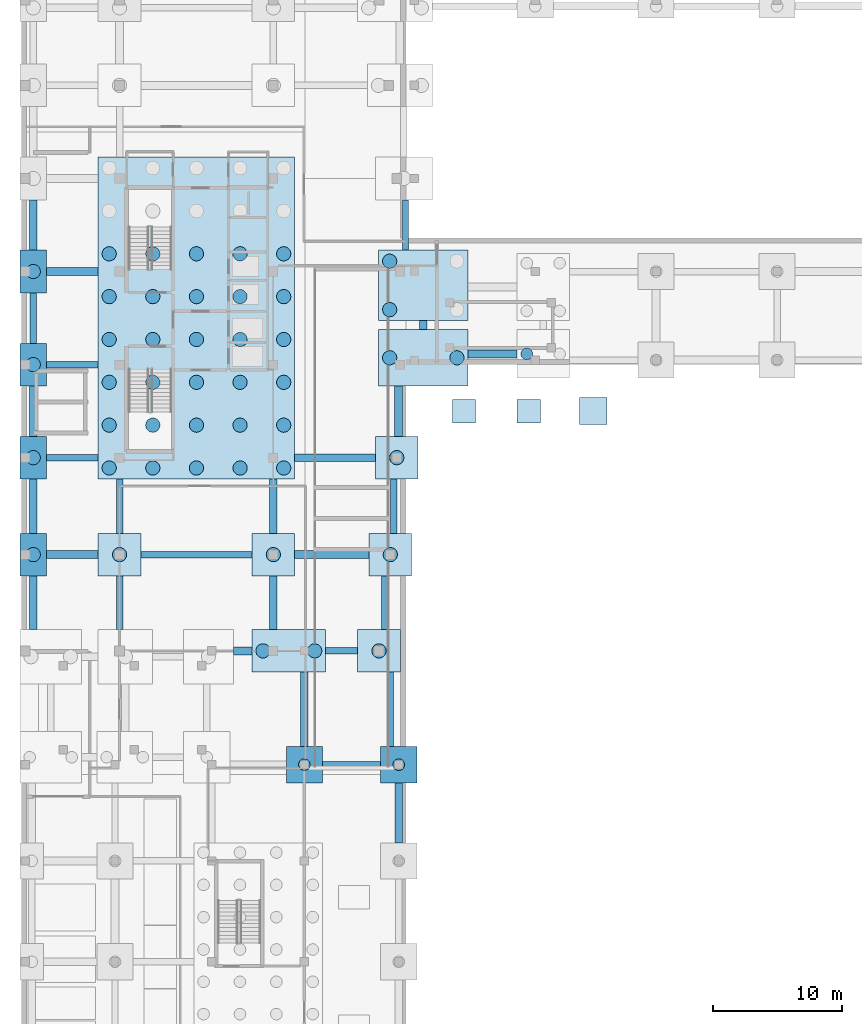
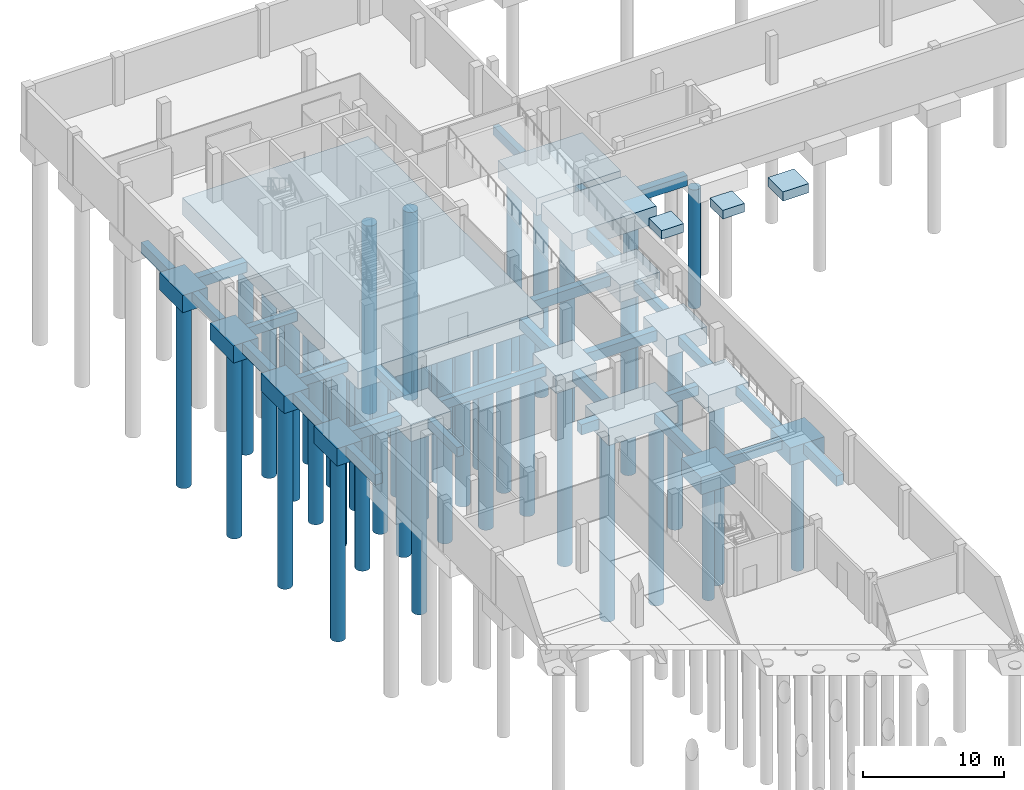
# One storey, part 3 of 21: 48 piles, 46 footings.
"""IFC4 building model written with IfcOpenShell, lengths in metres."""

from ifc_helpers import new_model, si_unit, direction, frame, origin, origin_2d, place, context, subcontext, project, spatial, polyline, circle, outline, extrude, material, material_profile, profile_set, type_object, element, save


model = new_model("IFC4")

# Units and contexts
model_context = context("Model", 3, precision=1e-05, world=origin(), true_north=direction((0.0, 1.0)))
body_context = subcontext(model_context, "Body", "Model", "MODEL_VIEW")
ifc_project = project(units=[si_unit("LENGTHUNIT", "METRE"), si_unit("AREAUNIT", "SQUARE_METRE"), si_unit("VOLUMEUNIT", "CUBIC_METRE"), si_unit("PLANEANGLEUNIT", "RADIAN"), si_unit("MASSUNIT", "GRAM", prefix="KILO")], contexts=[model_context])

# Site, building, storey
site_placement = place(None, origin())
site = spatial("IfcSite", under=ifc_project, at=site_placement, CompositionType="ELEMENT")
building_placement = place(site_placement, origin())
building = spatial("IfcBuilding", under=site, at=building_placement, Name="Quillay Park Conservatory", CompositionType="ELEMENT")
storey_placement = place(building_placement, frame((0.0, 0.0, -8.39990234375)))
storey = spatial("IfcBuildingStorey", under=building, at=storey_placement, Name="B2", CompositionType="ELEMENT", Elevation=-8.39990234375)

# Piles
ifc_material_1 = material(Name="Concrete C35/45 (NCh170 Concrete C35/45)", Category="concrete")
ifc_material_profile_1 = material_profile(ifc_material_1, circle(Radius=0.550048828125, at=origin_2d()), Name="PILE1100")
ifc_profile_set_1 = profile_set([ifc_material_profile_1], Name="Concrete C35/45 (NCh170 Concrete C35/45)")
pile_type_1 = type_object("IfcPileType", Name="BORED CONCRETE PILE 1100", PredefinedType="BORED", material=ifc_profile_set_1)
for number, where, z_axis, x_axis, name in (
    (1, (18.949951171875, 63.050048828125, -1.7001953125), (0.0, 0.0, -1.0), (1.0, 0.0, 0.0), "Bored pile P-0099"),
    (2, (22.949951171875, 63.050048828125, -1.7001953125), (0.0, 0.0, -1.0), (1.0, 0.0, 0.0), "Bored pile P-0100"),
    (3, (27.925048828125, 63.050048828125, -1.7001953125), (0.0, 0.0, -1.0), (1.0, 0.0, 0.0), "Bored pile P-0101"),
    (4, (1.175048828125, 70.5, -1.7001953125), (0.0, 0.0, -1.0), (1.0, 0.0, 0.0), "Bored pile P-0102"),
    (5, (7.85009765625, 70.5, -1.7001953125), (0.0, 0.0, -1.0), (1.0, 0.0, 0.0), "Bored pile P-0103"),
    (6, (19.75, 70.5, -1.7001953125), (0.0, 0.0, -1.0), (1.0, 0.0, 0.0), "Bored pile P-0104"),
    (7, (28.800048828125, 70.5, -1.7001953125), (0.0, 0.0, -1.0), (1.0, 0.0, 0.0), "Bored pile P-0105"),
    (8, (1.175048828125, 78.0, -1.7001953125), (0.0, 0.0, -1.0), (1.0, 0.0, 0.0), "Bored pile P-0106"),
    (9, (7.050048828125, 77.199951171875, -1.7001953125), (0.0, 0.0, -1.0), (1.0, 0.0, 0.0), "Bored pile P-0107"),
    (10, (7.050048828125, 80.514404296875, -1.7001953125), (0.0, 0.0, -1.0), (1.0, 0.0, 0.0), "Bored pile P-0108"),
    (11, (7.050048828125, 83.82861328125, -1.7001953125), (0.0, 0.0, -1.0), (1.0, 0.0, 0.0), "Bored pile P-0109"),
    (12, (7.050048828125, 87.142822265625, -1.7001953125), (0.0, 0.0, -1.0), (1.0, 0.0, 0.0), "Bored pile P-0110"),
    (13, (7.050048828125, 90.45703125, -1.7001953125), (0.0, 0.0, -1.0), (1.0, 0.0, 0.0), "Bored pile P-0111"),
    (14, (7.050048828125, 93.771484375, -1.7001953125), (0.0, 0.0, -1.0), (1.0, 0.0, 0.0), "Bored pile P-0112"),
    (15, (10.425048828125, 77.199951171875, -1.7001953125), (0.0, 0.0, -1.0), (1.0, 0.0, 0.0), "Bored pile P-0115"),
    (16, (10.425048828125, 80.514404296875, -1.7001953125), (0.0, 0.0, -1.0), (1.0, 0.0, 0.0), "Bored pile P-0116"),
    (17, (10.425048828125, 83.82861328125, -1.7001953125), (0.0, 0.0, -1.0), (1.0, 0.0, 0.0), "Bored pile P-0117"),
    (18, (10.425048828125, 87.142822265625, -1.7001953125), (0.0, 0.0, -1.0), (1.0, 0.0, 0.0), "Bored pile P-0118"),
    (19, (10.425048828125, 90.45703125, -1.7001953125), (0.0, 0.0, -1.0), (1.0, 0.0, 0.0), "Bored pile P-0119"),
    (20, (10.425048828125, 93.771484375, -1.7001953125), (0.0, 0.0, -1.0), (1.0, 0.0, 0.0), "Bored pile P-0120"),
    (21, (13.800048828125, 77.199951171875, -1.7001953125), (0.0, 0.0, -1.0), (1.0, 0.0, 0.0), "Bored pile P-0123"),
    (22, (13.800048828125, 80.514404296875, -1.7001953125), (0.0, 0.0, -1.0), (1.0, 0.0, 0.0), "Bored pile P-0124"),
    (23, (13.800048828125, 83.82861328125, -1.7001953125), (0.0, 0.0, -1.0), (1.0, 0.0, 0.0), "Bored pile P-0125"),
    (24, (13.800048828125, 87.142822265625, -1.7001953125), (0.0, 0.0, -1.0), (1.0, 0.0, 0.0), "Bored pile P-0126"),
    (25, (13.800048828125, 90.45703125, -1.7001953125), (0.0, 0.0, -1.0), (1.0, 0.0, 0.0), "Bored pile P-0127"),
    (26, (13.800048828125, 93.771484375, -1.7001953125), (0.0, 0.0, -1.0), (1.0, 0.0, 0.0), "Bored pile P-0128"),
    (27, (17.175048828125, 77.199951171875, -1.7001953125), (0.0, 0.0, -1.0), (1.0, 0.0, 0.0), "Bored pile P-0131"),
    (28, (17.175048828125, 80.514404296875, -1.7001953125), (0.0, 0.0, -1.0), (1.0, 0.0, 0.0), "Bored pile P-0132"),
    (29, (17.175048828125, 83.82861328125, -1.7001953125), (0.0, 0.0, -1.0), (1.0, 0.0, 0.0), "Bored pile P-0133"),
    (30, (17.175048828125, 87.142822265625, -1.7001953125), (0.0, 0.0, -1.0), (1.0, 0.0, 0.0), "Bored pile P-0134"),
    (31, (17.175048828125, 90.45703125, -1.7001953125), (0.0, 0.0, -1.0), (1.0, 0.0, 0.0), "Bored pile P-0135"),
    (32, (17.175048828125, 93.771484375, -1.7001953125), (0.0, 0.0, -1.0), (1.0, 0.0, 0.0), "Bored pile P-0136"),
    (33, (20.550048828125, 77.199951171875, -1.7001953125), (0.0, 0.0, -1.0), (1.0, 0.0, 0.0), "Bored pile P-0139"),
    (34, (20.550048828125, 80.514404296875, -1.7001953125), (0.0, 0.0, -1.0), (1.0, 0.0, 0.0), "Bored pile P-0140"),
    (35, (20.550048828125, 83.82861328125, -1.7001953125), (0.0, 0.0, -1.0), (1.0, 0.0, 0.0), "Bored pile P-0141"),
    (36, (20.550048828125, 87.142822265625, -1.7001953125), (0.0, 0.0, -1.0), (1.0, 0.0, 0.0), "Bored pile P-0142"),
    (37, (20.550048828125, 90.45703125, -1.7001953125), (0.0, 0.0, -1.0), (1.0, 0.0, 0.0), "Bored pile P-0143"),
    (38, (20.550048828125, 93.771484375, -1.7001953125), (0.0, 0.0, -1.0), (1.0, 0.0, 0.0), "Bored pile P-0144"),
    (39, (29.300048828125, 78.0, -1.7001953125), (0.0, 0.0, -1.0), (1.0, 0.0, 0.0), "Bored pile P-0147"),
    (40, (1.175048828125, 85.199951171875, -1.7001953125), (0.0, 0.0, -1.0), (1.0, 0.0, 0.0), "Bored pile P-0148"),
    (41, (28.75, 85.72509765625, -1.7001953125), (0.0, 0.0, -1.0), (1.0, 0.0, 0.0), "Bored pile P-0149"),
    (42, (33.949951171875, 85.72509765625, -1.7001953125), (0.0, 0.0, -1.0), (1.0, 0.0, 0.0), "Bored pile P-0150"),
    (43, (28.75, 89.449951171875, -1.7001953125), (0.0, 0.0, -1.0), (1.0, 0.0, 0.0), "Bored pile P-0205"),
    (44, (28.75, 93.199951171875, -1.7001953125), (0.0, 0.0, -1.0), (1.0, 0.0, 0.0), "Bored pile P-0206"),
    (45, (1.175048828125, 92.39990234375, -1.7001953125), (0.0, 0.0, -1.0), (1.0, 0.0, 0.0), "Bored pile P-0213"),
):
    element("IfcPile", number, at=place(storey_placement, frame(where, z_axis=z_axis, x_axis=x_axis)), inside=storey, type_object=pile_type_1, Name=name, PredefinedType="BORED", context=body_context, shape_type="SweptSolid", body=[
        extrude(circle(Radius=0.550048828125, at=origin_2d()), origin(), (0.0, 0.0, 1.0), 16.300048828125),
    ])
ifc_material_2 = material(Name="Concrete C35/45 (NCh170 Concrete C35/45)", Category="concrete")
ifc_material_profile_2 = material_profile(ifc_material_2, circle(Radius=0.449951171875, at=origin_2d()), Name="PILE900")
ifc_profile_set_2 = profile_set([ifc_material_profile_2], Name="Concrete C35/45 (NCh170 Concrete C35/45)")
pile_type_2 = type_object("IfcPileType", Name="BORED CONCRETE PILE 900", PredefinedType="BORED", material=ifc_profile_set_2)
for number, where, z_axis, x_axis, name in (
    (46, (22.14990234375, 54.25, -1.7001953125), (0.0, 0.0, -1.0), (1.0, 0.0, 0.0), "Bored pile P-0093"),
    (47, (29.449951171875, 54.25, -1.7001953125), (0.0, 0.0, -1.0), (1.0, 0.0, 0.0), "Bored pile P-0094"),
    (48, (39.355712890625, 86.02490234375, -1.7001953125), (0.0, 0.0, -1.0), (1.0, 0.0, 0.0), "Bored pile P-0151"),
):
    element("IfcPile", number, at=place(storey_placement, frame(where, z_axis=z_axis, x_axis=x_axis)), inside=storey, type_object=pile_type_2, Name=name, PredefinedType="BORED", context=body_context, shape_type="SweptSolid", body=[
        extrude(circle(Radius=0.449951171875, at=origin_2d()), origin(), (0.0, 0.0, 1.0), 10.300048828125),
    ])

# Footings
ifc_material_3 = material(Name="Concrete C35/45 (NCh170 Concrete C35/45)", Category="concrete")
footing_type_1 = type_object("IfcFootingType", Name="BORED PILE CAP 15200 X24900", PredefinedType="PILE_CAP", material=ifc_material_3)
footing_1_placement = place(storey_placement, frame((0.0, 0.0, -1.800048828125)))
element("IfcFooting", 49, at=footing_1_placement, inside=storey, type_object=footing_type_1, Name="B2 pile cap PC-16 (046)", PredefinedType="PILE_CAP", context=body_context, shape_type="SweptSolid", body=[
    extrude(outline(polyline([(6.199951171875, 76.35009765625), (21.39990234375, 76.35009765625), (21.39990234375, 101.25), (6.199951171875, 101.25), (6.199951171875, 76.35009765625)])), origin(), (0.0, 0.0, 1.0), 1.5),
])
ifc_material_4 = material(Name="Concrete C35/45 (NCh170 Concrete C35/45)", Category="concrete")
footing_type_2 = type_object("IfcFootingType", Name="BORED PILE CAP 2050 X3300", PredefinedType="PILE_CAP", material=ifc_material_4)
footing_2_placement = place(storey_placement, frame((0.0, 0.0, -1.800048828125)))
element("IfcFooting", 50, at=footing_2_placement, inside=storey, type_object=footing_type_2, Name="B2 pile cap PC-15 (041)", PredefinedType="PILE_CAP", context=body_context, shape_type="SweptSolid", body=[
    extrude(outline(polyline([(0.14990234375, 68.85009765625), (2.199951171875, 68.85009765625), (2.199951171875, 72.14990234375), (0.14990234375, 72.14990234375), (0.14990234375, 68.85009765625)])), origin(), (0.0, 0.0, 1.0), 1.5),
])
footing_3_placement = place(storey_placement, frame((0.0, 0.0, -1.800048828125)))
element("IfcFooting", 51, at=footing_3_placement, inside=storey, type_object=footing_type_2, Name="B2 pile cap PC-15 (045)", PredefinedType="PILE_CAP", context=body_context, shape_type="SweptSolid", body=[
    extrude(outline(polyline([(0.14990234375, 76.35009765625), (2.199951171875, 76.35009765625), (2.199951171875, 79.64990234375), (0.14990234375, 79.64990234375), (0.14990234375, 76.35009765625)])), origin(), (0.0, 0.0, 1.0), 1.5),
])
footing_4_placement = place(storey_placement, frame((0.0, 0.0, -1.800048828125)))
element("IfcFooting", 52, at=footing_4_placement, inside=storey, type_object=footing_type_2, Name="B2 pile cap PC-15 (048)", PredefinedType="PILE_CAP", context=body_context, shape_type="SweptSolid", body=[
    extrude(outline(polyline([(0.14990234375, 83.550048828125), (2.199951171875, 83.550048828125), (2.199951171875, 86.85009765625), (0.14990234375, 86.85009765625), (0.14990234375, 83.550048828125)])), origin(), (0.0, 0.0, 1.0), 1.5),
])
footing_5_placement = place(storey_placement, frame((0.0, 0.0, -1.800048828125)))
element("IfcFooting", 53, at=footing_5_placement, inside=storey, type_object=footing_type_2, Name="B2 pile cap PC-15 (066)", PredefinedType="PILE_CAP", context=body_context, shape_type="SweptSolid", body=[
    extrude(outline(polyline([(0.14990234375, 90.75), (2.199951171875, 90.75), (2.199951171875, 94.050048828125), (0.14990234375, 94.050048828125), (0.14990234375, 90.75)])), origin(), (0.0, 0.0, 1.0), 1.5),
])
ifc_material_5 = material(Name="Concrete C35/45 (NCh170 Concrete C35/45)", Category="concrete")
footing_type_3 = type_object("IfcFootingType", Name="BORED PILE CAP 2800 X2800", PredefinedType="PILE_CAP", material=ifc_material_5)
footing_6_placement = place(storey_placement, frame((0.0, 0.0, -1.800048828125)))
element("IfcFooting", 54, at=footing_6_placement, inside=storey, type_object=footing_type_3, Name="B2 pile cap PC-05 (034)", PredefinedType="PILE_CAP", context=body_context, shape_type="SweptSolid", body=[
    extrude(outline(polyline([(20.75, 52.85009765625), (23.550048828125, 52.85009765625), (23.550048828125, 55.64990234375), (20.75, 55.64990234375), (20.75, 52.85009765625)])), origin(), (0.0, 0.0, 1.0), 1.5),
])
footing_7_placement = place(storey_placement, frame((0.0, 0.0, -1.800048828125)))
element("IfcFooting", 55, at=footing_7_placement, inside=storey, type_object=footing_type_3, Name="B2 pile cap PC-05 (035)", PredefinedType="PILE_CAP", context=body_context, shape_type="SweptSolid", body=[
    extrude(outline(polyline([(28.050048828125, 52.85009765625), (30.85009765625, 52.85009765625), (30.85009765625, 55.64990234375), (28.050048828125, 55.64990234375), (28.050048828125, 52.85009765625)])), origin(), (0.0, 0.0, 1.0), 1.5),
])
ifc_material_6 = material(Name="Concrete C35/45 (NCh170 Concrete C35/45)", Category="concrete")
footing_type_4 = type_object("IfcFootingType", Name="BORED PILE CAP 3300 X3300", PredefinedType="PILE_CAP", material=ifc_material_6)
footing_8_placement = place(storey_placement, frame((0.0, 0.0, -1.800048828125)))
element("IfcFooting", 56, at=footing_8_placement, inside=storey, type_object=footing_type_4, Name="B2 pile cap PC-14 (040)", PredefinedType="PILE_CAP", context=body_context, shape_type="SweptSolid", body=[
    extrude(outline(polyline([(26.27490234375, 61.39990234375), (29.574951171875, 61.39990234375), (29.574951171875, 64.699951171875), (26.27490234375, 64.699951171875), (26.27490234375, 61.39990234375)])), origin(), (0.0, 0.0, 1.0), 1.5),
])
footing_9_placement = place(storey_placement, frame((0.0, 0.0, -1.800048828125)))
element("IfcFooting", 57, at=footing_9_placement, inside=storey, type_object=footing_type_4, Name="B2 pile cap PC-14 (042)", PredefinedType="PILE_CAP", context=body_context, shape_type="SweptSolid", body=[
    extrude(outline(polyline([(6.199951171875, 68.85009765625), (9.5, 68.85009765625), (9.5, 72.14990234375), (6.199951171875, 72.14990234375), (6.199951171875, 68.85009765625)])), origin(), (0.0, 0.0, 1.0), 1.5),
])
footing_10_placement = place(storey_placement, frame((0.0, 0.0, -1.800048828125)))
element("IfcFooting", 58, at=footing_10_placement, inside=storey, type_object=footing_type_4, Name="B2 pile cap PC-14 (043)", PredefinedType="PILE_CAP", context=body_context, shape_type="SweptSolid", body=[
    extrude(outline(polyline([(18.10009765625, 68.85009765625), (21.39990234375, 68.85009765625), (21.39990234375, 72.14990234375), (18.10009765625, 72.14990234375), (18.10009765625, 68.85009765625)])), origin(), (0.0, 0.0, 1.0), 1.5),
])
footing_11_placement = place(storey_placement, frame((0.0, 0.0, -1.800048828125)))
element("IfcFooting", 59, at=footing_11_placement, inside=storey, type_object=footing_type_4, Name="B2 pile cap PC-14 (044)", PredefinedType="PILE_CAP", context=body_context, shape_type="SweptSolid", body=[
    extrude(outline(polyline([(27.14990234375, 68.85009765625), (30.449951171875, 68.85009765625), (30.449951171875, 72.14990234375), (27.14990234375, 72.14990234375), (27.14990234375, 68.85009765625)])), origin(), (0.0, 0.0, 1.0), 1.5),
])
footing_12_placement = place(storey_placement, frame((0.0, 0.0, -1.800048828125)))
element("IfcFooting", 60, at=footing_12_placement, inside=storey, type_object=footing_type_4, Name="B2 pile cap PC-14 (047)", PredefinedType="PILE_CAP", context=body_context, shape_type="SweptSolid", body=[
    extrude(outline(polyline([(27.64990234375, 76.35009765625), (30.949951171875, 76.35009765625), (30.949951171875, 79.64990234375), (27.64990234375, 79.64990234375), (27.64990234375, 76.35009765625)])), origin(), (0.0, 0.0, 1.0), 1.5),
])
ifc_material_7 = material(Name="Concrete C35/45 (NCh170 Concrete C35/45)", Category="concrete")
footing_type_5 = type_object("IfcFootingType", Name="BORED PILE CAP 5700 X3300", PredefinedType="PILE_CAP", material=ifc_material_7)
footing_13_placement = place(storey_placement, frame((0.0, 0.0, -1.800048828125)))
element("IfcFooting", 61, at=footing_13_placement, inside=storey, type_object=footing_type_5, Name="B2 pile cap PC-13 (039)", PredefinedType="PILE_CAP", context=body_context, shape_type="SweptSolid", body=[
    extrude(outline(polyline([(18.10009765625, 61.39990234375), (23.800048828125, 61.39990234375), (23.800048828125, 64.699951171875), (18.10009765625, 64.699951171875), (18.10009765625, 61.39990234375)])), origin(), (0.0, 0.0, 1.0), 1.5),
])
ifc_material_8 = material(Name="Concrete C35/45 (NCh170 Concrete C35/45)", Category="concrete")
footing_type_6 = type_object("IfcFootingType", Name="BORED PILE CAP 6900 X4350", PredefinedType="PILE_CAP", material=ifc_material_8)
footing_14_placement = place(storey_placement, frame((0.0, 0.0, -1.800048828125)))
element("IfcFooting", 62, at=footing_14_placement, inside=storey, type_object=footing_type_6, Name="B2 pile cap PC-17 (049)", PredefinedType="PILE_CAP", context=body_context, shape_type="SweptSolid", body=[
    extrude(outline(polyline([(27.89990234375, 83.550048828125), (34.800048828125, 83.550048828125), (34.800048828125, 87.89990234375), (27.89990234375, 87.89990234375), (27.89990234375, 83.550048828125)])), origin(), (0.0, 0.0, 1.0), 1.5),
])
ifc_material_9 = material(Name="Concrete C35/45 (NCh170 Concrete C35/45)", Category="concrete")
footing_type_7 = type_object("IfcFootingType", Name="BORED PILE CAP 6900 X5450", PredefinedType="PILE_CAP", material=ifc_material_9)
footing_15_placement = place(storey_placement, frame((0.0, 0.0, -1.800048828125)))
element("IfcFooting", 63, at=footing_15_placement, inside=storey, type_object=footing_type_7, Name="B2 pile cap PC-21 (064)", PredefinedType="PILE_CAP", context=body_context, shape_type="SweptSolid", body=[
    extrude(outline(polyline([(27.89990234375, 88.60009765625), (34.800048828125, 88.60009765625), (34.800048828125, 94.050048828125), (27.89990234375, 94.050048828125), (27.89990234375, 88.60009765625)])), origin(), (0.0, 0.0, 1.0), 1.5),
])
ifc_material_10 = material(Name="Concrete C35/45 (NCh170 Concrete C35/45)", Category="concrete")
footing_type_8 = type_object("IfcFootingType", Name="ISOLATED PAD FOOTING 1800", PredefinedType="PAD_FOOTING", material=ifc_material_10)
footing_16_placement = place(storey_placement, frame((0.0, 0.0, -1.050048828125)))
element("IfcFooting", 64, at=footing_16_placement, inside=storey, type_object=footing_type_8, Name="Isolated pad footing PF-01", PredefinedType="PAD_FOOTING", context=body_context, shape_type="SweptSolid", body=[
    extrude(outline(polyline([(33.60009765625, 80.699951171875), (35.39990234375, 80.699951171875), (35.39990234375, 82.5), (33.60009765625, 82.5), (33.60009765625, 80.699951171875)])), origin(), (0.0, 0.0, 1.0), 0.75),
])
footing_17_placement = place(storey_placement, frame((0.0, 0.0, -1.050048828125)))
element("IfcFooting", 65, at=footing_17_placement, inside=storey, type_object=footing_type_8, Name="Isolated pad footing PF-02", PredefinedType="PAD_FOOTING", context=body_context, shape_type="SweptSolid", body=[
    extrude(outline(polyline([(38.60009765625, 80.699951171875), (40.39990234375, 80.699951171875), (40.39990234375, 82.5), (38.60009765625, 82.5), (38.60009765625, 80.699951171875)])), origin(), (0.0, 0.0, 1.0), 0.75),
])
ifc_material_11 = material(Name="Concrete C35/45 (NCh170 Concrete C35/45)", Category="concrete")
footing_type_9 = type_object("IfcFootingType", Name="ISOLATED PAD FOOTING 2100", PredefinedType="PAD_FOOTING", material=ifc_material_11)
footing_18_placement = place(storey_placement, frame((0.0, 0.0, -1.10009765625)))
element("IfcFooting", 66, at=footing_18_placement, inside=storey, type_object=footing_type_9, Name="Isolated pad footing PF-03", PredefinedType="PAD_FOOTING", context=body_context, shape_type="SweptSolid", body=[
    extrude(outline(polyline([(43.449951171875, 80.550048828125), (45.550048828125, 80.550048828125), (45.550048828125, 82.64990234375), (43.449951171875, 82.64990234375), (43.449951171875, 80.550048828125)])), origin(), (0.0, 0.0, 1.0), 0.800048828125),
])
ifc_material_12 = material(Name="Concrete C35/45 (NCh170 Concrete C35/45)", Category="concrete")
footing_type_10 = type_object("IfcFootingType", Name="SEISMIC GROUND BEAM 500 X800", PredefinedType="FOOTING_BEAM", material=ifc_material_12)
footing_19_placement = place(storey_placement, frame((0.0, 0.0, -1.10009765625)))
element("IfcFooting", 67, at=footing_19_placement, inside=storey, type_object=footing_type_10, Name="Seismic ground tie beam FB-026", PredefinedType="FOOTING_BEAM", context=body_context, shape_type="SweptSolid", body=[
    extrude(outline(polyline([(23.550048828125, 54.0), (28.050048828125, 54.0), (28.050048828125, 54.5), (23.550048828125, 54.5), (23.550048828125, 54.0)])), origin(), (0.0, 0.0, 1.0), 0.800048828125),
])
footing_20_placement = place(storey_placement, frame((0.0, 0.0, -1.10009765625)))
element("IfcFooting", 68, at=footing_20_placement, inside=storey, type_object=footing_type_10, Name="Seismic ground tie beam FB-030", PredefinedType="FOOTING_BEAM", context=body_context, shape_type="SweptSolid", body=[
    extrude(outline(polyline([(23.800048828125, 62.800048828125), (26.27490234375, 62.800048828125), (26.27490234375, 63.300048828125), (23.800048828125, 63.300048828125), (23.800048828125, 62.800048828125)])), origin(), (0.0, 0.0, 1.0), 0.800048828125),
])
footing_21_placement = place(storey_placement, frame((0.0, 0.0, -1.10009765625)))
element("IfcFooting", 69, at=footing_21_placement, inside=storey, type_object=footing_type_10, Name="Seismic ground tie beam FB-032", PredefinedType="FOOTING_BEAM", context=body_context, shape_type="SweptSolid", body=[
    extrude(outline(polyline([(9.5, 70.25), (18.10009765625, 70.25), (18.10009765625, 70.75), (9.5, 70.75), (9.5, 70.25)])), origin(), (0.0, 0.0, 1.0), 0.800048828125),
])
footing_22_placement = place(storey_placement, frame((0.0, 0.0, -1.10009765625)))
element("IfcFooting", 70, at=footing_22_placement, inside=storey, type_object=footing_type_10, Name="Seismic ground tie beam FB-034", PredefinedType="FOOTING_BEAM", context=body_context, shape_type="SweptSolid", body=[
    extrude(outline(polyline([(2.199951171875, 77.75), (6.199951171875, 77.75), (6.199951171875, 78.25), (2.199951171875, 78.25), (2.199951171875, 77.75)])), origin(), (0.0, 0.0, 1.0), 0.800048828125),
])
footing_23_placement = place(storey_placement, frame((0.0, 0.0, -1.10009765625)))
element("IfcFooting", 71, at=footing_23_placement, inside=storey, type_object=footing_type_10, Name="Seismic ground tie beam FB-036", PredefinedType="FOOTING_BEAM", context=body_context, shape_type="SweptSolid", body=[
    extrude(outline(polyline([(2.199951171875, 84.949951171875), (6.199951171875, 84.949951171875), (6.199951171875, 85.449951171875), (2.199951171875, 85.449951171875), (2.199951171875, 84.949951171875)])), origin(), (0.0, 0.0, 1.0), 0.800048828125),
])
footing_24_placement = place(storey_placement, frame((0.0, 0.0, -1.10009765625)))
element("IfcFooting", 72, at=footing_24_placement, inside=storey, type_object=footing_type_10, Name="Seismic ground tie beam FB-126", PredefinedType="FOOTING_BEAM", context=body_context, shape_type="SweptSolid", body=[
    extrude(outline(polyline([(28.56201171875, 55.64990234375), (29.06201171875, 55.64990234375), (29.06201171875, 61.39990234375), (28.56201171875, 61.39990234375), (28.56201171875, 55.64990234375)])), origin(), (0.0, 0.0, 1.0), 0.800048828125),
])
footing_25_placement = place(storey_placement, frame((0.0, 0.0, -1.10009765625)))
element("IfcFooting", 73, at=footing_25_placement, inside=storey, type_object=footing_type_10, Name="Seismic ground tie beam FB-128", PredefinedType="FOOTING_BEAM", context=body_context, shape_type="SweptSolid", body=[
    extrude(outline(polyline([(7.60009765625, 64.699951171875), (8.10009765625, 64.699951171875), (8.10009765625, 68.85009765625), (7.60009765625, 68.85009765625), (7.60009765625, 64.699951171875)])), origin(), (0.0, 0.0, 1.0), 0.800048828125),
])
footing_26_placement = place(storey_placement, frame((0.0, 0.0, -1.10009765625)))
element("IfcFooting", 74, at=footing_26_placement, inside=storey, type_object=footing_type_10, Name="Seismic ground tie beam FB-130", PredefinedType="FOOTING_BEAM", context=body_context, shape_type="SweptSolid", body=[
    extrude(outline(polyline([(28.113037109375, 64.699951171875), (28.613037109375, 64.699951171875), (28.613037109375, 68.85009765625), (28.113037109375, 68.85009765625), (28.113037109375, 64.699951171875)])), origin(), (0.0, 0.0, 1.0), 0.800048828125),
])
footing_27_placement = place(storey_placement, frame((0.0, 0.0, -1.10009765625)))
element("IfcFooting", 75, at=footing_27_placement, inside=storey, type_object=footing_type_10, Name="Seismic ground tie beam FB-132", PredefinedType="FOOTING_BEAM", context=body_context, shape_type="SweptSolid", body=[
    extrude(outline(polyline([(7.60009765625, 72.14990234375), (8.10009765625, 72.14990234375), (8.10009765625, 76.35009765625), (7.60009765625, 76.35009765625), (7.60009765625, 72.14990234375)])), origin(), (0.0, 0.0, 1.0), 0.800048828125),
])
footing_28_placement = place(storey_placement, frame((0.0, 0.0, -1.10009765625)))
element("IfcFooting", 76, at=footing_28_placement, inside=storey, type_object=footing_type_10, Name="Seismic ground tie beam FB-134", PredefinedType="FOOTING_BEAM", context=body_context, shape_type="SweptSolid", body=[
    extrude(outline(polyline([(28.800048828125, 72.14990234375), (29.300048828125, 72.14990234375), (29.300048828125, 76.35009765625), (28.800048828125, 76.35009765625), (28.800048828125, 72.14990234375)])), origin(), (0.0, 0.0, 1.0), 0.800048828125),
])
footing_29_placement = place(storey_placement, frame((0.0, 0.0, -1.10009765625)))
element("IfcFooting", 77, at=footing_29_placement, inside=storey, type_object=footing_type_10, Name="Seismic ground tie beam FB-138", PredefinedType="FOOTING_BEAM", context=body_context, shape_type="SweptSolid", body=[
    extrude(outline(polyline([(0.925048828125, 86.85009765625), (1.425048828125, 86.85009765625), (1.425048828125, 90.75), (0.925048828125, 90.75), (0.925048828125, 86.85009765625)])), origin(), (0.0, 0.0, 1.0), 0.800048828125),
])
footing_30_placement = place(storey_placement, frame((0.0, 0.0, -1.10009765625)))
element("IfcFooting", 78, at=footing_30_placement, inside=storey, type_object=footing_type_10, Name="Seismic ground tie beam FB-154", PredefinedType="FOOTING_BEAM", context=body_context, shape_type="SweptSolid", body=[
    extrude(outline(polyline([(29.72509765625, 94.050048828125), (30.22509765625, 94.050048828125), (30.22509765625, 97.949951171875), (29.72509765625, 97.949951171875), (29.72509765625, 94.050048828125)])), origin(), (0.0, 0.0, 1.0), 0.800048828125),
])
ifc_material_13 = material(Name="Concrete C35/45 (NCh170 Concrete C35/45)", Category="concrete")
footing_type_11 = type_object("IfcFootingType", Name="SEISMIC GROUND BEAM 600 X900", PredefinedType="FOOTING_BEAM", material=ifc_material_13)
footing_31_placement = place(storey_placement, frame((0.0, 0.0, -1.2001953125)))
element("IfcFooting", 79, at=footing_31_placement, inside=storey, type_object=footing_type_11, Name="Seismic ground tie beam FB-029", PredefinedType="FOOTING_BEAM", context=body_context, shape_type="SweptSolid", body=[
    extrude(outline(polyline([(16.64990234375, 62.75), (18.10009765625, 62.75), (18.10009765625, 63.35009765625), (16.64990234375, 63.35009765625), (16.64990234375, 62.75)])), origin(), (0.0, 0.0, 1.0), 0.900146484375),
])
footing_32_placement = place(storey_placement, frame((0.0, 0.0, -1.2001953125)))
element("IfcFooting", 80, at=footing_32_placement, inside=storey, type_object=footing_type_11, Name="Seismic ground tie beam FB-031", PredefinedType="FOOTING_BEAM", context=body_context, shape_type="SweptSolid", body=[
    extrude(outline(polyline([(2.199951171875, 70.199951171875), (6.199951171875, 70.199951171875), (6.199951171875, 70.800048828125), (2.199951171875, 70.800048828125), (2.199951171875, 70.199951171875)])), origin(), (0.0, 0.0, 1.0), 0.900146484375),
])
footing_33_placement = place(storey_placement, frame((0.0, 0.0, -1.2001953125)))
element("IfcFooting", 81, at=footing_33_placement, inside=storey, type_object=footing_type_11, Name="Seismic ground tie beam FB-033", PredefinedType="FOOTING_BEAM", context=body_context, shape_type="SweptSolid", body=[
    extrude(outline(polyline([(21.39990234375, 70.199951171875), (27.14990234375, 70.199951171875), (27.14990234375, 70.800048828125), (21.39990234375, 70.800048828125), (21.39990234375, 70.199951171875)])), origin(), (0.0, 0.0, 1.0), 0.900146484375),
])
footing_34_placement = place(storey_placement, frame((0.0, 0.0, -1.2001953125)))
element("IfcFooting", 82, at=footing_34_placement, inside=storey, type_object=footing_type_11, Name="Seismic ground tie beam FB-035", PredefinedType="FOOTING_BEAM", context=body_context, shape_type="SweptSolid", body=[
    extrude(outline(polyline([(21.39990234375, 77.699951171875), (27.64990234375, 77.699951171875), (27.64990234375, 78.300048828125), (21.39990234375, 78.300048828125), (21.39990234375, 77.699951171875)])), origin(), (0.0, 0.0, 1.0), 0.900146484375),
])
footing_35_placement = place(storey_placement, frame((0.0, 0.0, -1.2001953125)))
element("IfcFooting", 83, at=footing_35_placement, inside=storey, type_object=footing_type_11, Name="Seismic ground tie beam FB-037", PredefinedType="FOOTING_BEAM", context=body_context, shape_type="SweptSolid", body=[
    extrude(outline(polyline([(34.800048828125, 85.72509765625), (38.605712890625, 85.72509765625), (38.605712890625, 86.324951171875), (34.800048828125, 86.324951171875), (34.800048828125, 85.72509765625)])), origin(), (0.0, 0.0, 1.0), 0.900146484375),
])
footing_36_placement = place(storey_placement, frame((0.0, 0.0, -1.2001953125)))
element("IfcFooting", 84, at=footing_36_placement, inside=storey, type_object=footing_type_11, Name="Seismic ground tie beam FB-053", PredefinedType="FOOTING_BEAM", context=body_context, shape_type="SweptSolid", body=[
    extrude(outline(polyline([(2.199951171875, 92.10009765625), (6.199951171875, 92.10009765625), (6.199951171875, 92.699951171875), (2.199951171875, 92.699951171875), (2.199951171875, 92.10009765625)])), origin(), (0.0, 0.0, 1.0), 0.900146484375),
])
footing_37_placement = place(storey_placement, frame((0.0, 0.0, -1.2001953125)))
element("IfcFooting", 85, at=footing_37_placement, inside=storey, type_object=footing_type_11, Name="Seismic ground tie beam FB-121", PredefinedType="FOOTING_BEAM", context=body_context, shape_type="SweptSolid", body=[
    extrude(outline(polyline([(29.14990234375, 48.199951171875), (29.75, 48.199951171875), (29.75, 52.85009765625), (29.14990234375, 52.85009765625), (29.14990234375, 48.199951171875)])), origin(), (0.0, 0.0, 1.0), 0.900146484375),
])
footing_38_placement = place(storey_placement, frame((0.0, 0.0, -1.2001953125)))
element("IfcFooting", 86, at=footing_38_placement, inside=storey, type_object=footing_type_11, Name="Seismic ground tie beam FB-125", PredefinedType="FOOTING_BEAM", context=body_context, shape_type="SweptSolid", body=[
    extrude(outline(polyline([(21.85009765625, 55.64990234375), (22.449951171875, 55.64990234375), (22.449951171875, 61.39990234375), (21.85009765625, 61.39990234375), (21.85009765625, 55.64990234375)])), origin(), (0.0, 0.0, 1.0), 0.900146484375),
])
footing_39_placement = place(storey_placement, frame((0.0, 0.0, -1.2001953125)))
element("IfcFooting", 87, at=footing_39_placement, inside=storey, type_object=footing_type_11, Name="Seismic ground tie beam FB-127", PredefinedType="FOOTING_BEAM", context=body_context, shape_type="SweptSolid", body=[
    extrude(outline(polyline([(0.875, 64.699951171875), (1.47509765625, 64.699951171875), (1.47509765625, 68.85009765625), (0.875, 68.85009765625), (0.875, 64.699951171875)])), origin(), (0.0, 0.0, 1.0), 0.900146484375),
])
footing_40_placement = place(storey_placement, frame((0.0, 0.0, -1.2001953125)))
element("IfcFooting", 88, at=footing_40_placement, inside=storey, type_object=footing_type_11, Name="Seismic ground tie beam FB-129", PredefinedType="FOOTING_BEAM", context=body_context, shape_type="SweptSolid", body=[
    extrude(outline(polyline([(19.449951171875, 64.699951171875), (20.050048828125, 64.699951171875), (20.050048828125, 68.85009765625), (19.449951171875, 68.85009765625), (19.449951171875, 64.699951171875)])), origin(), (0.0, 0.0, 1.0), 0.900146484375),
])
footing_41_placement = place(storey_placement, frame((0.0, 0.0, -1.2001953125)))
element("IfcFooting", 89, at=footing_41_placement, inside=storey, type_object=footing_type_11, Name="Seismic ground tie beam FB-131", PredefinedType="FOOTING_BEAM", context=body_context, shape_type="SweptSolid", body=[
    extrude(outline(polyline([(0.875, 72.14990234375), (1.47509765625, 72.14990234375), (1.47509765625, 76.35009765625), (0.875, 76.35009765625), (0.875, 72.14990234375)])), origin(), (0.0, 0.0, 1.0), 0.900146484375),
])
footing_42_placement = place(storey_placement, frame((0.0, 0.0, -1.2001953125)))
element("IfcFooting", 90, at=footing_42_placement, inside=storey, type_object=footing_type_11, Name="Seismic ground tie beam FB-133", PredefinedType="FOOTING_BEAM", context=body_context, shape_type="SweptSolid", body=[
    extrude(outline(polyline([(19.449951171875, 72.14990234375), (20.050048828125, 72.14990234375), (20.050048828125, 76.35009765625), (19.449951171875, 76.35009765625), (19.449951171875, 72.14990234375)])), origin(), (0.0, 0.0, 1.0), 0.900146484375),
])
footing_43_placement = place(storey_placement, frame((0.0, 0.0, -1.2001953125)))
element("IfcFooting", 91, at=footing_43_placement, inside=storey, type_object=footing_type_11, Name="Seismic ground tie beam FB-135", PredefinedType="FOOTING_BEAM", context=body_context, shape_type="SweptSolid", body=[
    extrude(outline(polyline([(0.875, 79.64990234375), (1.47509765625, 79.64990234375), (1.47509765625, 83.550048828125), (0.875, 83.550048828125), (0.875, 79.64990234375)])), origin(), (0.0, 0.0, 1.0), 0.900146484375),
])
footing_44_placement = place(storey_placement, frame((0.0, 0.0, -1.2001953125)))
element("IfcFooting", 92, at=footing_44_placement, inside=storey, type_object=footing_type_11, Name="Seismic ground tie beam FB-137", PredefinedType="FOOTING_BEAM", context=body_context, shape_type="SweptSolid", body=[
    extrude(outline(polyline([(29.125, 79.64990234375), (29.72509765625, 79.64990234375), (29.72509765625, 83.550048828125), (29.125, 83.550048828125), (29.125, 79.64990234375)])), origin(), (0.0, 0.0, 1.0), 0.900146484375),
])
footing_45_placement = place(storey_placement, frame((0.0, 0.0, -1.2001953125)))
element("IfcFooting", 93, at=footing_45_placement, inside=storey, type_object=footing_type_11, Name="Seismic ground tie beam FB-139", PredefinedType="FOOTING_BEAM", context=body_context, shape_type="SweptSolid", body=[
    extrude(outline(polyline([(31.050048828125, 87.89990234375), (31.64990234375, 87.89990234375), (31.64990234375, 88.60009765625), (31.050048828125, 88.60009765625), (31.050048828125, 87.89990234375)])), origin(), (0.0, 0.0, 1.0), 0.900146484375),
])
footing_46_placement = place(storey_placement, frame((0.0, 0.0, -1.2001953125)))
element("IfcFooting", 94, at=footing_46_placement, inside=storey, type_object=footing_type_11, Name="Seismic ground tie beam FB-155", PredefinedType="FOOTING_BEAM", context=body_context, shape_type="SweptSolid", body=[
    extrude(outline(polyline([(0.875, 94.050048828125), (1.47509765625, 94.050048828125), (1.47509765625, 97.949951171875), (0.875, 97.949951171875), (0.875, 94.050048828125)])), origin(), (0.0, 0.0, 1.0), 0.900146484375),
])

save(model, "model.ifc")
